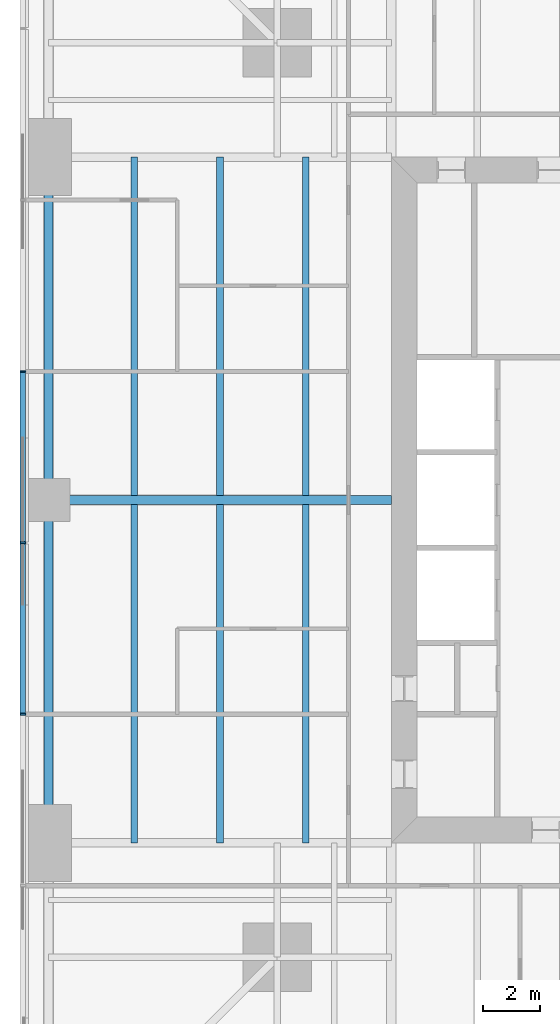
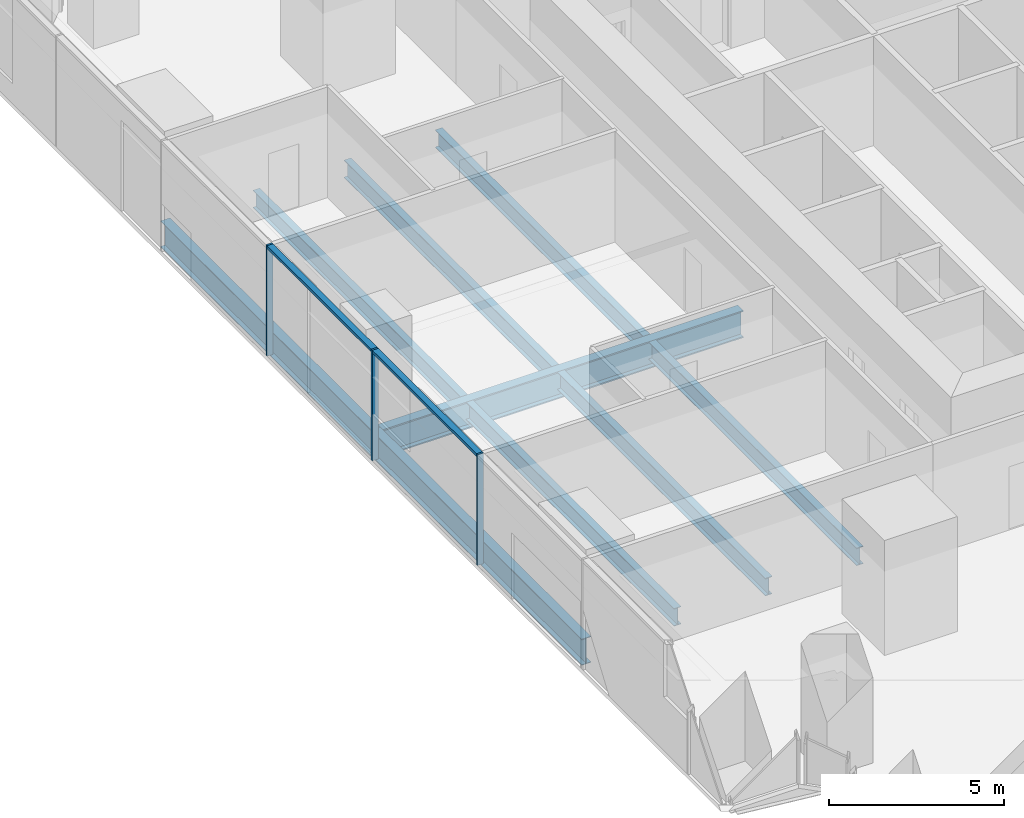
# One storey, part 4 of 13: 9 beams, 5 members, 1 element without a shape of its own.
"""IFC4 building model written with IfcOpenShell, lengths in metres."""

from ifc_helpers import new_model, si_unit, direction, frame, origin, origin_2d, place, context, subcontext, project, spatial, rectangle, i_section, extrude, material, material_profile, profile_set, type_object, element, aggregate, save


model = new_model("IFC4")

# Units and contexts
model_context = context("Model", 3, precision=1e-05, world=origin(), true_north=direction((0.0, 1.0)))
body_context = subcontext(model_context, "Body", "Model", "MODEL_VIEW")
ifc_project = project(units=[si_unit("LENGTHUNIT", "METRE"), si_unit("AREAUNIT", "SQUARE_METRE"), si_unit("VOLUMEUNIT", "CUBIC_METRE"), si_unit("PLANEANGLEUNIT", "RADIAN"), si_unit("MASSUNIT", "GRAM", prefix="KILO")], contexts=[model_context])

# Site, building, storey
site_placement = place(None, origin())
site = spatial("IfcSite", under=ifc_project, at=site_placement, CompositionType="ELEMENT")
building_placement = place(site_placement, origin())
building = spatial("IfcBuilding", under=site, at=building_placement, Name="Fenwick Lantern Interchange", CompositionType="ELEMENT")
storey_placement = place(building_placement, frame((0.0, 0.0, 47.0)))
storey = spatial("IfcBuildingStorey", under=building, at=storey_placement, Name="L10", CompositionType="ELEMENT", Elevation=47.0)

# Beams
ifc_material_1 = material(Name="Steel ASTM A992 Grade 50", Category="steel")
ifc_material_profile_1 = material_profile(ifc_material_1, i_section(OverallWidth=0.3046875, OverallDepth=0.911865234375, WebThickness=0.015869140625, FlangeThickness=0.02392578125, at=origin_2d()), Name="W36X150")
ifc_profile_set_1 = profile_set([ifc_material_profile_1], Name="Steel ASTM A992 Grade 50")
beam_type_1 = type_object("IfcBeamType", Name="EDGE BEAM W36X150", PredefinedType="SPANDREL", material=ifc_profile_set_1)
for number, where, z_axis, x_axis, name in (
    (1, (1.0, 37.0, -0.60595703125), (0.0, -1.0, 0.0), (1.0, 0.0, 0.0), "L10/FR/W/EB2"),
    (2, (1.0, 25.0, -0.60595703125), (0.0, -1.0, 0.0), (1.0, 0.0, 0.0), "L10/FR/W/EB3"),
):
    element("IfcBeam", number, at=place(storey_placement, frame(where, z_axis=z_axis, x_axis=x_axis)), inside=storey, type_object=beam_type_1, Name=name, PredefinedType="SPANDREL", context=body_context, shape_type="SweptSolid", body=[
        extrude(i_section(OverallWidth=0.3046875, OverallDepth=0.911865234375, WebThickness=0.015869140625, FlangeThickness=0.02392578125, at=origin_2d()), origin(), (0.0, 0.0, 1.0), 12.0),
    ])
ifc_material_profile_2 = material_profile(ifc_material_1, i_section(OverallWidth=0.22900390625, OverallDepth=0.612060546875, WebThickness=0.011962890625, FlangeThickness=0.01953125, at=origin_2d()), Name="W24X84")
ifc_profile_set_2 = profile_set([ifc_material_profile_2], Name="Steel ASTM A992 Grade 50")
beam_type_2 = type_object("IfcBeamType", Name="FLOOR BEAM W24X84", PredefinedType="BEAM", material=ifc_profile_set_2)
for number, where, z_axis, x_axis, name in (
    (3, (4.0, 37.0, -0.4560546875), (0.0, -1.0, 0.0), (1.0, 0.0, 0.0), "L10/FR/W/B01"),
    (4, (7.0, 37.0, -0.4560546875), (0.0, -1.0, 0.0), (1.0, 0.0, 0.0), "L10/FR/W/B02"),
    (5, (10.0, 37.0, -0.4560546875), (0.0, -1.0, 0.0), (1.0, 0.0, 0.0), "L10/FR/W/B03"),
    (6, (4.0, 24.844970703125, -0.4560546875), (0.0, -1.0, 0.0), (1.0, 0.0, 0.0), "L10/FR/W/B04"),
    (7, (7.0, 24.844970703125, -0.4560546875), (0.0, -1.0, 0.0), (1.0, 0.0, 0.0), "L10/FR/W/B05"),
    (8, (10.0, 24.844970703125, -0.4560546875), (0.0, -1.0, 0.0), (1.0, 0.0, 0.0), "L10/FR/W/B06"),
):
    element("IfcBeam", number, at=place(storey_placement, frame(where, z_axis=z_axis, x_axis=x_axis)), inside=storey, type_object=beam_type_2, Name=name, PredefinedType="BEAM", context=body_context, shape_type="SweptSolid", body=[
        extrude(i_section(OverallWidth=0.22900390625, OverallDepth=0.612060546875, WebThickness=0.011962890625, FlangeThickness=0.01953125, at=origin_2d()), origin(), (0.0, 0.0, 1.0), 11.844970703125),
    ])
ifc_material_profile_3 = material_profile(ifc_material_1, i_section(OverallWidth=0.309814453125, OverallDepth=0.949951171875, WebThickness=0.0244140625, FlangeThickness=0.0439453125, at=origin_2d()), Name="W36X256")
ifc_profile_set_3 = profile_set([ifc_material_profile_3], Name="Steel ASTM A992 Grade 50")
beam_type_3 = type_object("IfcBeamType", Name="MOMENT-CONNECTED GIRDER W36X256", PredefinedType="BEAM", material=ifc_profile_set_3)
beam_placement = place(storey_placement, frame((1.0, 25.0, -0.625), z_axis=(1.0, 0.0, 0.0), x_axis=(0.0, 1.0, 0.0)))
element("IfcBeam", 9, at=beam_placement, inside=storey, type_object=beam_type_3, Name="L10/FR/W/R02", PredefinedType="BEAM", context=body_context, shape_type="SweptSolid", body=[
    extrude(i_section(OverallWidth=0.309814453125, OverallDepth=0.949951171875, WebThickness=0.0244140625, FlangeThickness=0.0439453125, at=origin_2d()), origin(), (0.0, 0.0, 1.0), 12.0),
])

# Curtain wall, members
ifc_material_2 = material(Name="Aluminium curtain wall frame", Category="aluminium")
curtain_wall_type = type_object("IfcCurtainWallType", Name="OFFICE CURTAIN WALL", PredefinedType="USERDEFINED", material=ifc_material_2)
curtain_wall_placement = place(storey_placement, origin())
curtain_wall = element("IfcCurtainWall", 10, at=curtain_wall_placement, inside=storey, type_object=curtain_wall_type, Name="Office curtain wall 13", ObjectType="OFFICE CURTAIN WALL", PredefinedType="USERDEFINED")
ifc_material_3 = material(Name="Aluminium extrusion", Category="aluminium")
ifc_material_profile_4 = material_profile(ifc_material_3, rectangle(XDim=0.199951171875, YDim=0.06494140625, at=origin_2d()), Name="OFFICE CURTAIN WALL MULLION 65 X 200")
ifc_profile_set_4 = profile_set([ifc_material_profile_4], Name="Aluminium extrusion")
member_type_1 = type_object("IfcMemberType", Name="OFFICE CURTAIN WALL MULLION 65 X 200", PredefinedType="MULLION", material=ifc_profile_set_4)
member_1_placement = place(storey_placement, frame((0.10009765625, 29.5, 0.0), z_axis=(0.0, 0.0, 1.0), x_axis=(1.0, 0.0, 0.0)))
member_1 = element("IfcMember", 11, at=member_1_placement, type_object=member_type_1, Name="L10/CW/13/M03", PredefinedType="MULLION", context=body_context, shape_type="SweptSolid", body=[
    extrude(rectangle(XDim=0.199951171875, YDim=0.06494140625, at=origin_2d()), origin(), (0.0, 0.0, 1.0), 3.85009765625),
])
member_2_placement = place(storey_placement, frame((0.10009765625, 23.5, 0.0), z_axis=(0.0, 0.0, 1.0), x_axis=(1.0, 0.0, 0.0)))
member_2 = element("IfcMember", 12, at=member_2_placement, type_object=member_type_1, Name="L10/CW/13/M04", PredefinedType="MULLION", context=body_context, shape_type="SweptSolid", body=[
    extrude(rectangle(XDim=0.199951171875, YDim=0.06494140625, at=origin_2d()), origin(), (0.0, 0.0, 1.0), 3.85009765625),
])
member_3_placement = place(storey_placement, frame((0.10009765625, 17.5, 0.0), z_axis=(0.0, 0.0, 1.0), x_axis=(1.0, 0.0, 0.0)))
member_3 = element("IfcMember", 13, at=member_3_placement, type_object=member_type_1, Name="L10/CW/13/M05", PredefinedType="MULLION", context=body_context, shape_type="SweptSolid", body=[
    extrude(rectangle(XDim=0.199951171875, YDim=0.06494140625, at=origin_2d()), origin(), (0.0, 0.0, 1.0), 3.85009765625),
])
ifc_material_profile_5 = material_profile(ifc_material_3, rectangle(XDim=0.199951171875, YDim=0.10009765625, at=origin_2d()), Name="OFFICE CURTAIN WALL TRANSOM 100 X 200")
ifc_profile_set_5 = profile_set([ifc_material_profile_5], Name="Aluminium extrusion")
member_type_2 = type_object("IfcMemberType", Name="OFFICE CURTAIN WALL TRANSOM 100 X 200", PredefinedType="MULLION", material=ifc_profile_set_5)
member_4_placement = place(storey_placement, frame((0.10009765625, 29.467529296875, 3.800048828125), z_axis=(0.0, -1.0, 0.0), x_axis=(1.0, 0.0, 0.0)))
member_4 = element("IfcMember", 14, at=member_4_placement, type_object=member_type_2, Name="L10/CW/13/T03", PredefinedType="MULLION", context=body_context, shape_type="SweptSolid", body=[
    extrude(rectangle(XDim=0.199951171875, YDim=0.10009765625, at=origin_2d()), origin(), (0.0, 0.0, 1.0), 5.93505859375),
])
member_5_placement = place(storey_placement, frame((0.10009765625, 23.467529296875, 3.800048828125), z_axis=(0.0, -1.0, 0.0), x_axis=(1.0, 0.0, 0.0)))
member_5 = element("IfcMember", 15, at=member_5_placement, type_object=member_type_2, Name="L10/CW/13/T04", PredefinedType="MULLION", context=body_context, shape_type="SweptSolid", body=[
    extrude(rectangle(XDim=0.199951171875, YDim=0.10009765625, at=origin_2d()), origin(), (0.0, 0.0, 1.0), 5.93505859375),
])
aggregate(curtain_wall, [member_1, member_2, member_3, member_4, member_5])

save(model, "model.ifc")
